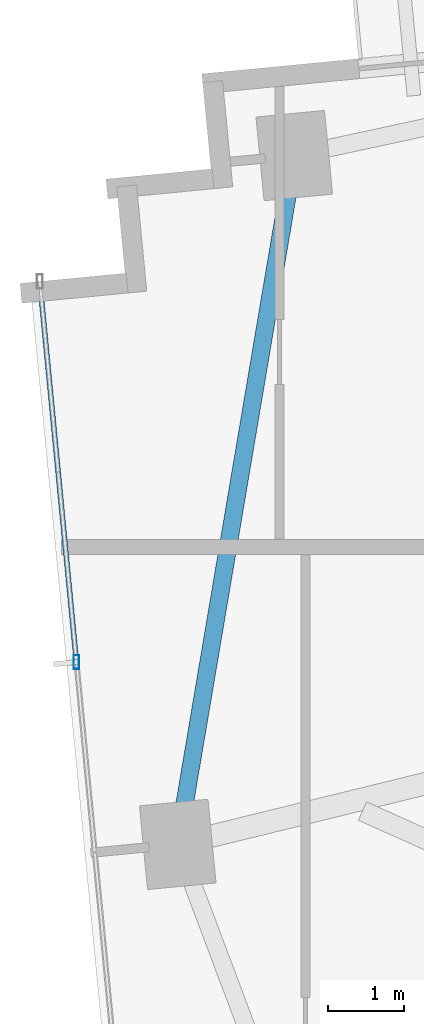
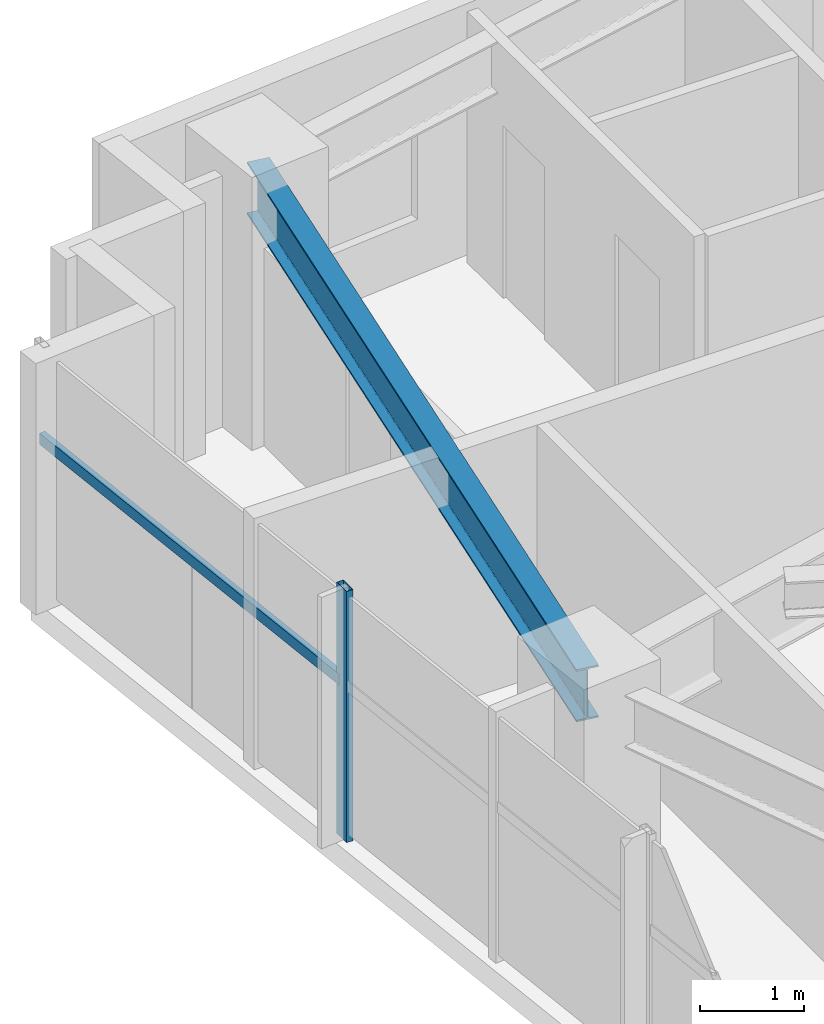
# One storey, part 4 of 27: 2 members, 1 beam, 1 element without a shape of its own.
"""IFC4 building model written with IfcOpenShell, lengths in metres."""

from ifc_helpers import new_model, si_unit, direction, frame, origin, origin_2d, place, context, subcontext, project, spatial, hollow_rectangle, i_section, extrude, source, transform, mapped, material, material_profile, profile_set, type_object, type_shapes, element, aggregate, save


model = new_model("IFC4")

# Units and contexts
model_context = context("Model", 3, precision=1e-05, world=origin(), true_north=direction((0.0, 1.0)))
body_context = subcontext(model_context, "Body", "Model", "MODEL_VIEW")
ifc_project = project(units=[si_unit("LENGTHUNIT", "METRE"), si_unit("AREAUNIT", "SQUARE_METRE"), si_unit("VOLUMEUNIT", "CUBIC_METRE"), si_unit("PLANEANGLEUNIT", "RADIAN"), si_unit("MASSUNIT", "GRAM", prefix="KILO")], contexts=[model_context])

# Site, building, storey
site_placement = place(None, origin())
site = spatial("IfcSite", under=ifc_project, at=site_placement, CompositionType="ELEMENT")
building_placement = place(site_placement, origin())
building = spatial("IfcBuilding", under=site, at=building_placement, Name="Astriad Promenade Condominiums", CompositionType="ELEMENT")
storey_placement = place(building_placement, frame((0.0, 0.0, 87.39990234375)))
storey = spatial("IfcBuildingStorey", under=building, at=storey_placement, Name="L24", CompositionType="ELEMENT", Elevation=87.39990234375)

# Beam
ifc_material_1 = material(Name="Steel ASTM A992 Grade 50", Category="steel")
ifc_material_profile_1 = material_profile(ifc_material_1, i_section(OverallWidth=0.22900390625, OverallDepth=0.612060546875, WebThickness=0.011962890625, FlangeThickness=0.01953125, FilletRadius=0.017822265625, at=origin_2d()), Name="W24X84")
ifc_profile_set_1 = profile_set([ifc_material_profile_1], Name="Steel ASTM A992 Grade 50")
beam_type = type_object("IfcBeamType", Name="STEEL SPANDREL BEAM W24X84", PredefinedType="SPANDREL", material=ifc_profile_set_1)
shared_shape_1 = source(origin(), body_context, "Body", "SweptSolid", [
    extrude(i_section(OverallWidth=0.22900390625, OverallDepth=0.612060546875, WebThickness=0.011962890625, FlangeThickness=0.01953125, FilletRadius=0.017822265625, at=origin_2d()), origin(), (0.0, 0.0, 1.0), 9.055419921875),
])
type_shapes(beam_type, [shared_shape_1])
beam_placement = place(storey_placement, frame((12.2685546875, 22.52880859375, 2.634033203125), z_axis=(-0.166776851291, -0.98599466625, 0.0), x_axis=(0.98599466625, -0.166776851291, 0.0)))
element("IfcBeam", 1, at=beam_placement, inside=storey, type_object=beam_type, Name="Perimeter Spandrel Beam SP-W2-L24", PredefinedType="SPANDREL", context=body_context, shape_type="MappedRepresentation", body=[
    mapped(shared_shape_1, transform((0.0, 0.0, 0.0), scale=1.0)),
])

# Curtain wall, members
ifc_material_2 = material(Name="Anodised aluminium Black Dark Glass Unitised", Category="aluminium")
curtain_wall_type = type_object("IfcCurtainWallType", Name="CW-B2-DARK", PredefinedType="USERDEFINED", material=ifc_material_2)
curtain_wall_placement = place(storey_placement, origin())
curtain_wall = element("IfcCurtainWall", 2, at=curtain_wall_placement, inside=storey, type_object=curtain_wall_type, Name="CW-L24-W", ObjectType="UNITISED_CURTAIN_WALL", PredefinedType="USERDEFINED")
ifc_material_3 = material(Name="Anodised aluminium 6063-T6 Black", Category="aluminium")
ifc_material_profile_2 = material_profile(ifc_material_3, hollow_rectangle(XDim=0.074951171875, YDim=0.18505859375, WallThickness=0.00439453125, at=origin_2d()), Name="ALU-MUL-75X185")
ifc_profile_set_2 = profile_set([ifc_material_profile_2], Name="Anodised aluminium 6063-T6 Black")
member_type_1 = type_object("IfcMemberType", Name="MUL-ALU-MUL-75X185", PredefinedType="MULLION", material=ifc_profile_set_2)
shared_shape_2 = source(origin(), body_context, "Body", "SweptSolid", [
    extrude(hollow_rectangle(XDim=0.074951171875, YDim=0.18505859375, WallThickness=0.00439453125, at=origin_2d()), origin(), (0.0, 0.0, 1.0), 2.940185546875),
])
type_shapes(member_type_1, [shared_shape_2])
member_1_placement = place(storey_placement, frame((9.427001953125, 15.94482421875, 0.0), z_axis=(0.0, 0.0, 1.0), x_axis=(1.0, 0.0, 0.0)))
member_1 = element("IfcMember", 3, at=member_1_placement, type_object=member_type_1, Name="CW-L24-W-MUL-02", PredefinedType="MULLION", context=body_context, shape_type="MappedRepresentation", body=[
    mapped(shared_shape_2, transform((0.0, 0.0, 0.0), scale=1.0)),
])
ifc_material_profile_3 = material_profile(ifc_material_3, hollow_rectangle(XDim=0.06494140625, YDim=0.1298828125, WallThickness=0.00390625, at=origin_2d()), Name="ALU-TRN-65X130")
ifc_profile_set_3 = profile_set([ifc_material_profile_3], Name="Anodised aluminium 6063-T6 Black")
member_type_2 = type_object("IfcMemberType", Name="TRN-ALU-TRN-65X130", PredefinedType="USERDEFINED", material=ifc_profile_set_3)
shared_shape_3 = source(origin(), body_context, "Body", "SweptSolid", [
    extrude(hollow_rectangle(XDim=0.06494140625, YDim=0.1298828125, WallThickness=0.00390625, at=origin_2d()), origin(), (0.0, 0.0, 1.0), 5.0),
])
type_shapes(member_type_2, [shared_shape_3])
member_2_placement = place(storey_placement, frame((9.427001953125, 15.94482421875, 1.822998046875), z_axis=(-0.095848242264, 0.995395958629, 0.0), x_axis=(-0.995395958629, -0.095848242264, 0.0)))
member_2 = element("IfcMember", 4, at=member_2_placement, type_object=member_type_2, Name="CW-L24-W-TRN-02-0", ObjectType="TRANSOM", PredefinedType="USERDEFINED", context=body_context, shape_type="MappedRepresentation", body=[
    mapped(shared_shape_3, transform((0.0, 0.0, 0.0), scale=1.0)),
])
aggregate(curtain_wall, [member_1, member_2])

save(model, "model.ifc")
